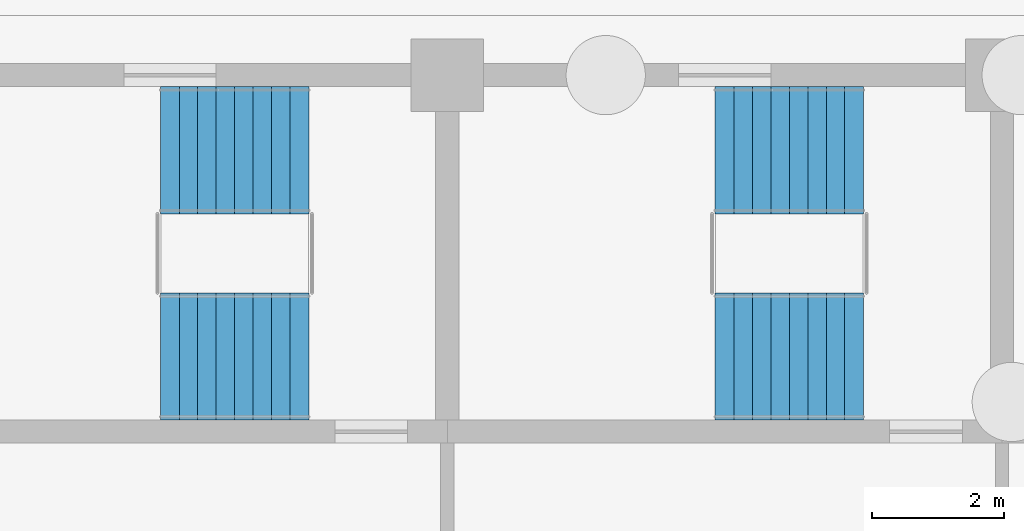
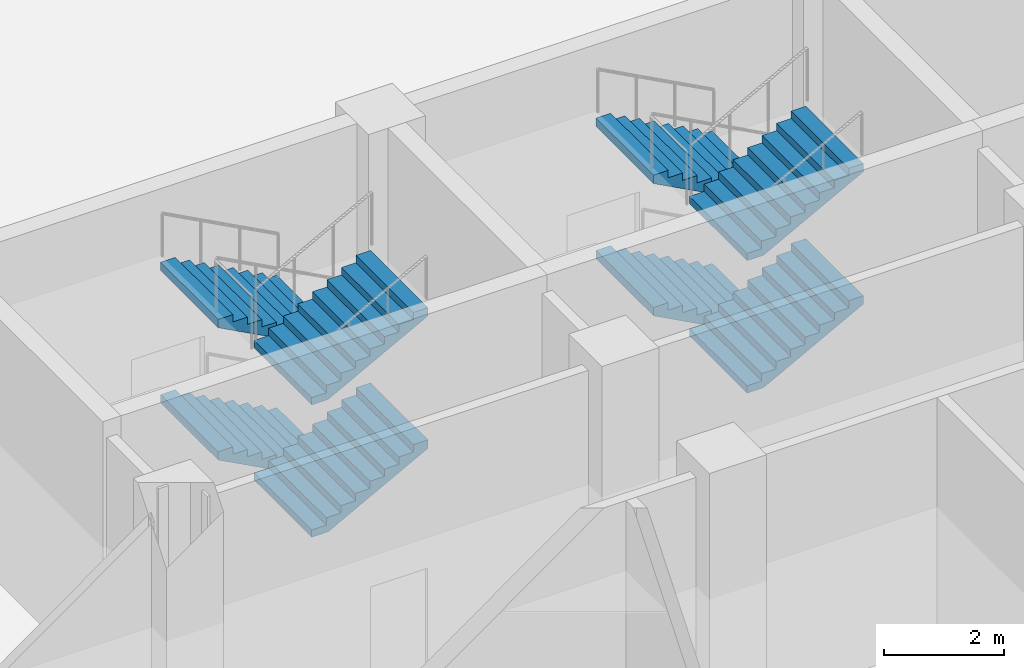
# One storey, part 103 of 146: 8 stair flights, 2 elements without a shape of their own.
"""IFC4 building model written with IfcOpenShell, lengths in metres."""

import ifcopenshell
import ifcopenshell.guid

model = None  # the IFC model being written
_history = None  # IfcOwnerHistory: only IFC2X3 demands one
_inside = {}  # id of a spatial element -> (the spatial element, [elements in it])
_under = {}  # id of a project, library or spatial element -> (it, [spatial elements below it])
_declared = {}  # id of a project -> (the project, [libraries it declares])
_typed = {}  # id of a type object -> (the type object, [elements of that type])
_made_of = {}  # id of a material, layer set ... -> (it, [elements and type objects made of it])


def new_model(schema):
    """Start an empty IFC model of exactly this schema.

    Asked for "IFC4X3", IfcOpenShell would pick the latest addendum, in which some entities
    have other attributes; the version numbers below select the first issue.
    IFC2X3 requires an IfcOwnerHistory on every rooted entity: one is made here for all.
    """
    global model, _history
    if schema == "IFC4X3":
        model = ifcopenshell.file(schema_version=(4, 3, 0, 0))
    else:
        model = ifcopenshell.file(schema=schema)
    _inside.clear()
    _under.clear()
    _declared.clear()
    _typed.clear()
    _made_of.clear()
    _history = None
    if model.schema == "IFC2X3":
        org = make("IfcOrganization", Name="unknown")
        user = make(
            "IfcPersonAndOrganization",
            ThePerson=make("IfcPerson", FamilyName="unknown"),
            TheOrganization=org,
        )
        app = make(
            "IfcApplication",
            ApplicationDeveloper=org,
            Version="unknown",
            ApplicationFullName="unknown",
            ApplicationIdentifier="unknown",
        )
        _history = make(
            "IfcOwnerHistory",
            OwningUser=user,
            OwningApplication=app,
            ChangeAction="ADDED",
            CreationDate=0,
        )
    return model


def make(cls, **values):
    """One entity of the class cls with the attributes given. An attribute that is None is left unset."""
    return model.create_entity(
        cls, **{name: value for name, value in values.items() if value is not None}
    )


def rooted(cls, **values):
    """An entity with a GlobalId (a new one), such as an element, a storey or a relation."""
    return make(cls, GlobalId=ifcopenshell.guid.new(), OwnerHistory=_history, **values)


def si_unit(unit_type, name, prefix=None):
    """IfcSIUnit, for example si_unit("LENGTHUNIT", "METRE", prefix="MILLI")."""
    return make("IfcSIUnit", UnitType=unit_type, Prefix=prefix, Name=name)


def assignment(units):
    """IfcUnitAssignment: the units of a project."""
    return None if units is None else make("IfcUnitAssignment", Units=units)


def point(xyz):
    """IfcCartesianPoint."""
    return None if xyz is None else make("IfcCartesianPoint", Coordinates=xyz)


def direction(xyz):
    """IfcDirection."""
    return None if xyz is None else make("IfcDirection", DirectionRatios=xyz)


def frame(location, z_axis=None, x_axis=None):
    """IfcAxis2Placement3D, a coordinate frame: its origin and axes. An axis left out is left unset."""
    return make(
        "IfcAxis2Placement3D",
        Location=point(location),
        Axis=direction(z_axis),
        RefDirection=direction(x_axis),
    )


def origin():
    """The frame at (0, 0, 0) with its axes left unset."""
    return frame((0.0, 0.0, 0.0))


def place(relative_to, where):
    """IfcLocalPlacement: puts the frame where relative to a parent placement (None: the world)."""
    return make(
        "IfcLocalPlacement", PlacementRelTo=relative_to, RelativePlacement=where
    )


def context(
    kind, dimensions, precision=None, world=None, true_north=None, identifier=None
):
    """IfcGeometricRepresentationContext, for example the 3D "Model" context."""
    return make(
        "IfcGeometricRepresentationContext",
        ContextIdentifier=identifier,
        ContextType=kind,
        CoordinateSpaceDimension=dimensions,
        Precision=precision,
        WorldCoordinateSystem=world,
        TrueNorth=true_north,
    )


def subcontext(parent, identifier, kind, view, scale=None):
    """IfcGeometricRepresentationSubContext, for example "Body" below "Model"."""
    return make(
        "IfcGeometricRepresentationSubContext",
        ContextIdentifier=identifier,
        ContextType=kind,
        ParentContext=parent,
        TargetScale=scale,
        TargetView=view,
    )


def project(units=None, contexts=None):
    """IfcProject with its units and contexts."""
    return rooted(
        "IfcProject",
        Name="project",
        RepresentationContexts=contexts,
        UnitsInContext=assignment(units),
    )


def spatial(cls, under=None, at=None, **own):
    """A site, building, storey or space (cls), placed at a placement, below another one or the project."""
    s = rooted(cls, ObjectPlacement=at, **own)
    if under is not None:
        _under.setdefault(under.id(), (under, []))[1].append(s)
    return s


def polyline(points):
    """IfcPolyline through the points."""
    return make("IfcPolyline", Points=[point(p) for p in points])


def outline(outer, holes=None, kind="AREA"):
    """IfcArbitraryClosedProfileDef: a profile drawn as a closed curve; with holes, ...WithVoids."""
    if holes is None:
        return make("IfcArbitraryClosedProfileDef", ProfileType=kind, OuterCurve=outer)
    return make(
        "IfcArbitraryProfileDefWithVoids",
        ProfileType=kind,
        OuterCurve=outer,
        InnerCurves=holes,
    )


def extrude(swept, where, along, depth):
    """IfcExtrudedAreaSolid: the profile swept, set in the frame where, extruded along a direction by depth."""
    return make(
        "IfcExtrudedAreaSolid",
        SweptArea=swept,
        Position=where,
        ExtrudedDirection=direction(along),
        Depth=depth,
    )


def shape(context_of_items, identifier, shape_type, items):
    """IfcShapeRepresentation: the items that make up one representation, for example the "Body"."""
    return make(
        "IfcShapeRepresentation",
        ContextOfItems=context_of_items,
        RepresentationIdentifier=identifier,
        RepresentationType=shape_type,
        Items=items,
    )


def material(Name=None, Category=None):
    """IfcMaterial."""
    return make("IfcMaterial", Name=Name, Category=Category)


def made_of(thing, what):
    """Note that an element or type object is made of a material, layer set ...; save() writes the relation."""
    if what is not None:
        _made_of.setdefault(what.id(), (what, []))[1].append(thing)
    return thing


def type_object(cls, material=None, **own):
    """A type object (cls), such as IfcWallType, which elements share."""
    return made_of(rooted(cls, **own), material)


def element(
    cls,
    number,
    at=None,
    inside=None,
    cuts=None,
    type_object=None,
    material=None,
    context=None,
    identifier="Body",
    shape_type=None,
    held_by="IfcProductDefinitionShape",
    body=None,
    shapes=None,
    **own,
):
    """One element of the class cls, such as IfcWall. Its Tag is "e" and its number.

    at: its placement. inside: the storey or other place that contains it. cuts: it is an
    opening in that element (IfcRelVoidsElement). A single representation is given by context,
    identifier, shape_type and body (its items); several are given by shapes. held_by: the class
    of the entity that holds the representations. save() writes the other relations.
    """
    e = rooted(cls, Tag="e%d" % number, ObjectPlacement=at, **own)
    if body is not None:
        shapes = [shape(context, identifier, shape_type, body)]
    if shapes is not None:
        e.Representation = make(held_by, Representations=shapes)
    if inside is not None:
        _inside.setdefault(inside.id(), (inside, []))[1].append(e)
    if cuts is not None:
        rooted(
            "IfcRelVoidsElement", RelatingBuildingElement=cuts, RelatedOpeningElement=e
        )
    if type_object is not None:
        _typed.setdefault(type_object.id(), (type_object, []))[1].append(e)
    return made_of(e, material)


def aggregate(whole, parts):
    """IfcRelAggregates: a whole, such as a stair, and the parts it consists of."""
    return rooted("IfcRelAggregates", RelatingObject=whole, RelatedObjects=parts)


def save(model, path):
    """Write the relations noted so far, then the file.

    IfcRelAggregates (storeys below a building ...), IfcRelContainedInSpatialStructure (elements
    in a storey), IfcRelDefinesByType, IfcRelAssociatesMaterial and IfcRelDeclares: one each for
    every whole, place, type object, material and project.
    """
    for whole, parts in _under.values():
        aggregate(whole, parts)
    for where, things in _inside.values():
        rooted(
            "IfcRelContainedInSpatialStructure",
            RelatedElements=things,
            RelatingStructure=where,
        )
    for kind, things in _typed.values():
        rooted("IfcRelDefinesByType", RelatedObjects=things, RelatingType=kind)
    for what, things in _made_of.values():
        rooted("IfcRelAssociatesMaterial", RelatedObjects=things, RelatingMaterial=what)
    for by, libraries in _declared.values():
        rooted("IfcRelDeclares", RelatingContext=by, RelatedDefinitions=libraries)
    model.write(path)


model = new_model("IFC4")

# Units and contexts
model_context = context("Model", 3, precision=1e-05, world=origin(), true_north=direction((0.0, 1.0)))
body_context = subcontext(model_context, "Body", "Model", "MODEL_VIEW")
ifc_project = project(units=[si_unit("LENGTHUNIT", "METRE"), si_unit("AREAUNIT", "SQUARE_METRE"), si_unit("VOLUMEUNIT", "CUBIC_METRE"), si_unit("PLANEANGLEUNIT", "RADIAN"), si_unit("MASSUNIT", "GRAM", prefix="KILO")], contexts=[model_context])

# Site, building, storey
site_placement = place(None, origin())
site = spatial("IfcSite", under=ifc_project, at=site_placement, CompositionType="ELEMENT")
building_placement = place(site_placement, origin())
building = spatial("IfcBuilding", under=site, at=building_placement, Name="Bougainvillea Quay General Hospital", CompositionType="ELEMENT")
storey_placement = place(building_placement, origin())
storey = spatial("IfcBuildingStorey", under=building, at=storey_placement, Name="L00", CompositionType="ELEMENT", Elevation=0.0)

# Stair, stair flights
ifc_material = material(Name="Concrete C35", Category="concrete")
stair_type = type_object("IfcStairType", Name="Stair half-turn 1925 wide", PredefinedType="HALF_TURN_STAIR", material=ifc_material)
stair_1_placement = place(storey_placement, origin())
stair_1 = element("IfcStair", 1, at=stair_1_placement, inside=storey, type_object=stair_type, Name="L00 stair ST-D3", PredefinedType="HALF_TURN_STAIR")
stair_flight_type = type_object("IfcStairFlightType", Name="Stair flight 1925", PredefinedType="STRAIGHT", material=ifc_material)
stair_flight_1_placement = place(storey_placement, frame((149.10009765625, 158.46240234375, 0.0), z_axis=(0.0, 0.0, 1.0), x_axis=(-1.0, 0.0, 0.0)))
stair_flight_1 = element("IfcStairFlight", 2, at=stair_flight_1_placement, type_object=stair_flight_type, Name="ST-D3 flight 1", NumberOfRisers=9, NumberOfTreads=8, PredefinedType="STRAIGHT", RiserHeight=0.15, TreadLength=0.28, context=body_context, shape_type="SweptSolid", body=[
    extrude(outline(polyline([(-0.0029296875, 0.0), (-0.0029296875, 0.003662109375), (-0.0029296875, 0.00732421875), (-0.0029296875, 0.010986328125), (-0.0029296875, 0.0146484375), (-0.0029296875, 0.018310546875), (-0.0029296875, 0.02197265625), (-0.0029296875, 0.025634765625), (-0.0029296875, 0.029296875), (-0.0029296875, 0.032958984375), (-0.0029296875, 0.03662109375), (-0.0029296875, 0.040283203125), (-0.0029296875, 0.0439453125), (-0.0029296875, 0.047607421875), (-0.0029296875, 0.05126953125), (-0.0029296875, 0.054931640625), (-0.0029296875, 0.05859375), (-0.0029296875, 0.062255859375), (-0.0029296875, 0.06591796875), (-0.0029296875, 0.069580078125), (-0.0029296875, 0.0732421875), (-0.0029296875, 0.076904296875), (-0.0029296875, 0.08056640625), (-0.0029296875, 0.084228515625), (-0.0029296875, 0.087890625), (-0.0029296875, 0.091552734375), (-0.0029296875, 0.09521484375), (-0.0029296875, 0.098876953125), (-0.0029296875, 0.1025390625), (-0.0029296875, 0.106201171875), (-0.0029296875, 0.10986328125), (-0.0029296875, 0.113525390625), (-0.0029296875, 0.1171875), (-0.0029296875, 0.120849609375), (-0.0029296875, 0.12451171875), (-0.0029296875, 0.1279296875), (-0.0029296875, 0.131591796875), (-0.0029296875, 0.13525390625), (-0.0029296875, 0.138916015625), (-0.0029296875, 0.142578125), (-0.0029296875, 0.146240234375), (-0.0029296875, 0.14990234375), (0.280029296875, 0.14990234375), (0.280029296875, 0.300048828125), (0.56005859375, 0.300048828125), (0.56005859375, 0.449951171875), (0.840087890625, 0.449951171875), (0.840087890625, 0.60009765625), (1.1201171875, 0.60009765625), (1.1201171875, 0.75), (1.39990234375, 0.75), (1.39990234375, 0.89990234375), (1.679931640625, 0.89990234375), (1.679931640625, 1.050048828125), (1.9599609375, 1.050048828125), (1.9599609375, 1.199951171875), (2.242919921875, 1.199951171875), (2.242919921875, 1.19580078125), (2.242919921875, 1.191650390625), (2.242919921875, 1.1875), (2.242919921875, 1.183349609375), (2.242919921875, 1.17919921875), (2.242919921875, 1.175048828125), (2.242919921875, 1.1708984375), (2.242919921875, 1.166748046875), (2.242919921875, 1.16259765625), (2.242919921875, 1.158447265625), (2.242919921875, 1.154296875), (2.242919921875, 1.150146484375), (2.242919921875, 1.14599609375), (2.242919921875, 1.141845703125), (2.242919921875, 1.1376953125), (2.242919921875, 1.133544921875), (2.242919921875, 1.12939453125), (2.242919921875, 1.125244140625), (2.242919921875, 1.12109375), (2.242919921875, 1.116943359375), (2.242919921875, 1.11279296875), (2.242919921875, 1.108642578125), (2.242919921875, 1.1044921875), (2.242919921875, 1.100341796875), (2.242919921875, 1.09619140625), (2.242919921875, 1.092041015625), (2.242919921875, 1.087890625), (2.242919921875, 1.083984375), (2.242919921875, 1.079833984375), (2.242919921875, 1.07568359375), (2.242919921875, 1.071533203125), (2.242919921875, 1.0673828125), (2.242919921875, 1.063232421875), (2.242919921875, 1.05908203125), (2.242919921875, 1.054931640625), (2.242919921875, 1.05078125), (2.242919921875, 1.046630859375), (2.242919921875, 1.04248046875), (2.242919921875, 1.038330078125), (2.242919921875, 1.0341796875), (2.242919921875, 1.030029296875), (0.3173828125, 0.0), (-0.0029296875, 0.0)])), frame((0.0, 0.96240234375, 0.0), z_axis=(0.0, -1.0, 0.0), x_axis=(1.0, 0.0, 0.0)), (0.0, 0.0, 1.0), 1.925048828125),
])
stair_flight_2_placement = place(storey_placement, frame((146.860107421875, 155.33740234375, 1.35009765625), z_axis=(0.0, 0.0, 1.0), x_axis=(1.0, 0.0, 0.0)))
stair_flight_2 = element("IfcStairFlight", 3, at=stair_flight_2_placement, type_object=stair_flight_type, Name="ST-D3 flight 2", NumberOfRisers=9, NumberOfTreads=8, PredefinedType="STRAIGHT", RiserHeight=0.15, TreadLength=0.28, context=body_context, shape_type="SweptSolid", body=[
    extrude(outline(polyline([(-0.0029296875, 0.0), (-0.0029296875, 0.003662109375), (-0.0029296875, 0.00732421875), (-0.0029296875, 0.010986328125), (-0.0029296875, 0.0146484375), (-0.0029296875, 0.018310546875), (-0.0029296875, 0.02197265625), (-0.0029296875, 0.025634765625), (-0.0029296875, 0.029296875), (-0.0029296875, 0.032958984375), (-0.0029296875, 0.03662109375), (-0.0029296875, 0.040283203125), (-0.0029296875, 0.0439453125), (-0.0029296875, 0.047607421875), (-0.0029296875, 0.05126953125), (-0.0029296875, 0.054931640625), (-0.0029296875, 0.05859375), (-0.0029296875, 0.062255859375), (-0.0029296875, 0.06591796875), (-0.0029296875, 0.069580078125), (-0.0029296875, 0.0732421875), (-0.0029296875, 0.076904296875), (-0.0029296875, 0.08056640625), (-0.0029296875, 0.084228515625), (-0.0029296875, 0.087890625), (-0.0029296875, 0.091552734375), (-0.0029296875, 0.09521484375), (-0.0029296875, 0.098876953125), (-0.0029296875, 0.1025390625), (-0.0029296875, 0.106201171875), (-0.0029296875, 0.10986328125), (-0.0029296875, 0.113525390625), (-0.0029296875, 0.1171875), (-0.0029296875, 0.120849609375), (-0.0029296875, 0.12451171875), (-0.0029296875, 0.1279296875), (-0.0029296875, 0.131591796875), (-0.0029296875, 0.13525390625), (-0.0029296875, 0.138916015625), (-0.0029296875, 0.142578125), (-0.0029296875, 0.146240234375), (-0.0029296875, 0.14990234375), (0.280029296875, 0.14990234375), (0.280029296875, 0.300048828125), (0.56005859375, 0.300048828125), (0.56005859375, 0.449951171875), (0.840087890625, 0.449951171875), (0.840087890625, 0.60009765625), (1.1201171875, 0.60009765625), (1.1201171875, 0.75), (1.39990234375, 0.75), (1.39990234375, 0.89990234375), (1.679931640625, 0.89990234375), (1.679931640625, 1.050048828125), (1.9599609375, 1.050048828125), (1.9599609375, 1.199951171875), (2.242919921875, 1.199951171875), (2.242919921875, 1.19580078125), (2.242919921875, 1.191650390625), (2.242919921875, 1.1875), (2.242919921875, 1.183349609375), (2.242919921875, 1.17919921875), (2.242919921875, 1.175048828125), (2.242919921875, 1.1708984375), (2.242919921875, 1.166748046875), (2.242919921875, 1.16259765625), (2.242919921875, 1.158447265625), (2.242919921875, 1.154296875), (2.242919921875, 1.150146484375), (2.242919921875, 1.14599609375), (2.242919921875, 1.141845703125), (2.242919921875, 1.1376953125), (2.242919921875, 1.133544921875), (2.242919921875, 1.12939453125), (2.242919921875, 1.125244140625), (2.242919921875, 1.12109375), (2.242919921875, 1.116943359375), (2.242919921875, 1.11279296875), (2.242919921875, 1.108642578125), (2.242919921875, 1.1044921875), (2.242919921875, 1.100341796875), (2.242919921875, 1.09619140625), (2.242919921875, 1.092041015625), (2.242919921875, 1.087890625), (2.242919921875, 1.083984375), (2.242919921875, 1.079833984375), (2.242919921875, 1.07568359375), (2.242919921875, 1.071533203125), (2.242919921875, 1.0673828125), (2.242919921875, 1.063232421875), (2.242919921875, 1.05908203125), (2.242919921875, 1.054931640625), (2.242919921875, 1.05078125), (2.242919921875, 1.046630859375), (2.242919921875, 1.04248046875), (2.242919921875, 1.038330078125), (2.242919921875, 1.0341796875), (2.242919921875, 1.030029296875), (0.3173828125, 0.0), (-0.0029296875, 0.0)])), frame((0.0, 0.96240234375, 0.0), z_axis=(0.0, -1.0, 0.0), x_axis=(1.0, 0.0, 0.0)), (0.0, 0.0, 1.0), 1.925048828125),
])
stair_flight_3_placement = place(storey_placement, frame((149.10009765625, 158.46240234375, 2.699951171875), z_axis=(0.0, 0.0, 1.0), x_axis=(-1.0, 0.0, 0.0)))
stair_flight_3 = element("IfcStairFlight", 4, at=stair_flight_3_placement, type_object=stair_flight_type, Name="ST-D3 flight 3", NumberOfRisers=9, NumberOfTreads=8, PredefinedType="STRAIGHT", RiserHeight=0.15, TreadLength=0.28, context=body_context, shape_type="SweptSolid", body=[
    extrude(outline(polyline([(-0.0029296875, 0.0), (-0.0029296875, 0.003662109375), (-0.0029296875, 0.00732421875), (-0.0029296875, 0.010986328125), (-0.0029296875, 0.0146484375), (-0.0029296875, 0.018310546875), (-0.0029296875, 0.02197265625), (-0.0029296875, 0.025634765625), (-0.0029296875, 0.029296875), (-0.0029296875, 0.032958984375), (-0.0029296875, 0.03662109375), (-0.0029296875, 0.040283203125), (-0.0029296875, 0.0439453125), (-0.0029296875, 0.047607421875), (-0.0029296875, 0.05126953125), (-0.0029296875, 0.054931640625), (-0.0029296875, 0.05859375), (-0.0029296875, 0.062255859375), (-0.0029296875, 0.06591796875), (-0.0029296875, 0.069580078125), (-0.0029296875, 0.0732421875), (-0.0029296875, 0.076904296875), (-0.0029296875, 0.08056640625), (-0.0029296875, 0.084228515625), (-0.0029296875, 0.087890625), (-0.0029296875, 0.091552734375), (-0.0029296875, 0.09521484375), (-0.0029296875, 0.098876953125), (-0.0029296875, 0.1025390625), (-0.0029296875, 0.106201171875), (-0.0029296875, 0.10986328125), (-0.0029296875, 0.113525390625), (-0.0029296875, 0.1171875), (-0.0029296875, 0.120849609375), (-0.0029296875, 0.12451171875), (-0.0029296875, 0.1279296875), (-0.0029296875, 0.131591796875), (-0.0029296875, 0.13525390625), (-0.0029296875, 0.138916015625), (-0.0029296875, 0.142578125), (-0.0029296875, 0.146240234375), (-0.0029296875, 0.14990234375), (0.280029296875, 0.14990234375), (0.280029296875, 0.300048828125), (0.56005859375, 0.300048828125), (0.56005859375, 0.449951171875), (0.840087890625, 0.449951171875), (0.840087890625, 0.60009765625), (1.1201171875, 0.60009765625), (1.1201171875, 0.75), (1.39990234375, 0.75), (1.39990234375, 0.89990234375), (1.679931640625, 0.89990234375), (1.679931640625, 1.050048828125), (1.9599609375, 1.050048828125), (1.9599609375, 1.199951171875), (2.242919921875, 1.199951171875), (2.242919921875, 1.19580078125), (2.242919921875, 1.191650390625), (2.242919921875, 1.1875), (2.242919921875, 1.183349609375), (2.242919921875, 1.17919921875), (2.242919921875, 1.175048828125), (2.242919921875, 1.1708984375), (2.242919921875, 1.166748046875), (2.242919921875, 1.16259765625), (2.242919921875, 1.158447265625), (2.242919921875, 1.154296875), (2.242919921875, 1.150146484375), (2.242919921875, 1.14599609375), (2.242919921875, 1.141845703125), (2.242919921875, 1.1376953125), (2.242919921875, 1.133544921875), (2.242919921875, 1.12939453125), (2.242919921875, 1.125244140625), (2.242919921875, 1.12109375), (2.242919921875, 1.116943359375), (2.242919921875, 1.11279296875), (2.242919921875, 1.108642578125), (2.242919921875, 1.1044921875), (2.242919921875, 1.100341796875), (2.242919921875, 1.09619140625), (2.242919921875, 1.092041015625), (2.242919921875, 1.087890625), (2.242919921875, 1.083984375), (2.242919921875, 1.079833984375), (2.242919921875, 1.07568359375), (2.242919921875, 1.071533203125), (2.242919921875, 1.0673828125), (2.242919921875, 1.063232421875), (2.242919921875, 1.05908203125), (2.242919921875, 1.054931640625), (2.242919921875, 1.05078125), (2.242919921875, 1.046630859375), (2.242919921875, 1.04248046875), (2.242919921875, 1.038330078125), (2.242919921875, 1.0341796875), (2.242919921875, 1.030029296875), (0.3173828125, 0.0), (-0.0029296875, 0.0)])), frame((0.0, 0.96240234375, 0.0), z_axis=(0.0, -1.0, 0.0), x_axis=(1.0, 0.0, 0.0)), (0.0, 0.0, 1.0), 1.925048828125),
])
stair_flight_4_placement = place(storey_placement, frame((146.860107421875, 155.33740234375, 4.050048828125), z_axis=(0.0, 0.0, 1.0), x_axis=(1.0, 0.0, 0.0)))
stair_flight_4 = element("IfcStairFlight", 5, at=stair_flight_4_placement, type_object=stair_flight_type, Name="ST-D3 flight 4", NumberOfRisers=9, NumberOfTreads=8, PredefinedType="STRAIGHT", RiserHeight=0.15, TreadLength=0.28, context=body_context, shape_type="SweptSolid", body=[
    extrude(outline(polyline([(-0.0029296875, 0.0), (-0.0029296875, 0.003662109375), (-0.0029296875, 0.00732421875), (-0.0029296875, 0.010986328125), (-0.0029296875, 0.0146484375), (-0.0029296875, 0.018310546875), (-0.0029296875, 0.02197265625), (-0.0029296875, 0.025634765625), (-0.0029296875, 0.029296875), (-0.0029296875, 0.032958984375), (-0.0029296875, 0.03662109375), (-0.0029296875, 0.040283203125), (-0.0029296875, 0.0439453125), (-0.0029296875, 0.047607421875), (-0.0029296875, 0.05126953125), (-0.0029296875, 0.054931640625), (-0.0029296875, 0.05859375), (-0.0029296875, 0.062255859375), (-0.0029296875, 0.06591796875), (-0.0029296875, 0.069580078125), (-0.0029296875, 0.0732421875), (-0.0029296875, 0.076904296875), (-0.0029296875, 0.08056640625), (-0.0029296875, 0.084228515625), (-0.0029296875, 0.087890625), (-0.0029296875, 0.091552734375), (-0.0029296875, 0.09521484375), (-0.0029296875, 0.098876953125), (-0.0029296875, 0.1025390625), (-0.0029296875, 0.106201171875), (-0.0029296875, 0.10986328125), (-0.0029296875, 0.113525390625), (-0.0029296875, 0.1171875), (-0.0029296875, 0.120849609375), (-0.0029296875, 0.12451171875), (-0.0029296875, 0.1279296875), (-0.0029296875, 0.131591796875), (-0.0029296875, 0.13525390625), (-0.0029296875, 0.138916015625), (-0.0029296875, 0.142578125), (-0.0029296875, 0.146240234375), (-0.0029296875, 0.14990234375), (0.280029296875, 0.14990234375), (0.280029296875, 0.300048828125), (0.56005859375, 0.300048828125), (0.56005859375, 0.449951171875), (0.840087890625, 0.449951171875), (0.840087890625, 0.60009765625), (1.1201171875, 0.60009765625), (1.1201171875, 0.75), (1.39990234375, 0.75), (1.39990234375, 0.89990234375), (1.679931640625, 0.89990234375), (1.679931640625, 1.050048828125), (1.9599609375, 1.050048828125), (1.9599609375, 1.199951171875), (2.242919921875, 1.199951171875), (2.242919921875, 1.19580078125), (2.242919921875, 1.191650390625), (2.242919921875, 1.1875), (2.242919921875, 1.183349609375), (2.242919921875, 1.17919921875), (2.242919921875, 1.175048828125), (2.242919921875, 1.1708984375), (2.242919921875, 1.166748046875), (2.242919921875, 1.16259765625), (2.242919921875, 1.158447265625), (2.242919921875, 1.154296875), (2.242919921875, 1.150146484375), (2.242919921875, 1.14599609375), (2.242919921875, 1.141845703125), (2.242919921875, 1.1376953125), (2.242919921875, 1.133544921875), (2.242919921875, 1.12939453125), (2.242919921875, 1.125244140625), (2.242919921875, 1.12109375), (2.242919921875, 1.116943359375), (2.242919921875, 1.11279296875), (2.242919921875, 1.108642578125), (2.242919921875, 1.1044921875), (2.242919921875, 1.100341796875), (2.242919921875, 1.09619140625), (2.242919921875, 1.092041015625), (2.242919921875, 1.087890625), (2.242919921875, 1.083984375), (2.242919921875, 1.079833984375), (2.242919921875, 1.07568359375), (2.242919921875, 1.071533203125), (2.242919921875, 1.0673828125), (2.242919921875, 1.063232421875), (2.242919921875, 1.05908203125), (2.242919921875, 1.054931640625), (2.242919921875, 1.05078125), (2.242919921875, 1.046630859375), (2.242919921875, 1.04248046875), (2.242919921875, 1.038330078125), (2.242919921875, 1.0341796875), (2.242919921875, 1.030029296875), (0.3173828125, 0.0), (-0.0029296875, 0.0)])), frame((0.0, 0.96240234375, 0.0), z_axis=(0.0, -1.0, 0.0), x_axis=(1.0, 0.0, 0.0)), (0.0, 0.0, 1.0), 1.925048828125),
])
aggregate(stair_1, [stair_flight_1, stair_flight_2, stair_flight_3, stair_flight_4])

stair_2_placement = place(storey_placement, origin())
stair_2 = element("IfcStair", 6, at=stair_2_placement, inside=storey, type_object=stair_type, Name="L00 stair ST-A3", PredefinedType="HALF_TURN_STAIR")
stair_flight_5_placement = place(storey_placement, frame((140.699951171875, 158.46240234375, 0.0), z_axis=(0.0, 0.0, 1.0), x_axis=(-1.0, 0.0, 0.0)))
stair_flight_5 = element("IfcStairFlight", 7, at=stair_flight_5_placement, type_object=stair_flight_type, Name="ST-A3 flight 1", NumberOfRisers=9, NumberOfTreads=8, PredefinedType="STRAIGHT", RiserHeight=0.15, TreadLength=0.28, context=body_context, shape_type="SweptSolid", body=[
    extrude(outline(polyline([(-0.0029296875, 0.0), (-0.0029296875, 0.003662109375), (-0.0029296875, 0.00732421875), (-0.0029296875, 0.010986328125), (-0.0029296875, 0.0146484375), (-0.0029296875, 0.018310546875), (-0.0029296875, 0.02197265625), (-0.0029296875, 0.025634765625), (-0.0029296875, 0.029296875), (-0.0029296875, 0.032958984375), (-0.0029296875, 0.03662109375), (-0.0029296875, 0.040283203125), (-0.0029296875, 0.0439453125), (-0.0029296875, 0.047607421875), (-0.0029296875, 0.05126953125), (-0.0029296875, 0.054931640625), (-0.0029296875, 0.05859375), (-0.0029296875, 0.062255859375), (-0.0029296875, 0.06591796875), (-0.0029296875, 0.069580078125), (-0.0029296875, 0.0732421875), (-0.0029296875, 0.076904296875), (-0.0029296875, 0.08056640625), (-0.0029296875, 0.084228515625), (-0.0029296875, 0.087890625), (-0.0029296875, 0.091552734375), (-0.0029296875, 0.09521484375), (-0.0029296875, 0.098876953125), (-0.0029296875, 0.1025390625), (-0.0029296875, 0.106201171875), (-0.0029296875, 0.10986328125), (-0.0029296875, 0.113525390625), (-0.0029296875, 0.1171875), (-0.0029296875, 0.120849609375), (-0.0029296875, 0.12451171875), (-0.0029296875, 0.1279296875), (-0.0029296875, 0.131591796875), (-0.0029296875, 0.13525390625), (-0.0029296875, 0.138916015625), (-0.0029296875, 0.142578125), (-0.0029296875, 0.146240234375), (-0.0029296875, 0.14990234375), (0.280029296875, 0.14990234375), (0.280029296875, 0.300048828125), (0.56005859375, 0.300048828125), (0.56005859375, 0.449951171875), (0.840087890625, 0.449951171875), (0.840087890625, 0.60009765625), (1.1201171875, 0.60009765625), (1.1201171875, 0.75), (1.39990234375, 0.75), (1.39990234375, 0.89990234375), (1.679931640625, 0.89990234375), (1.679931640625, 1.050048828125), (1.9599609375, 1.050048828125), (1.9599609375, 1.199951171875), (2.242919921875, 1.199951171875), (2.242919921875, 1.19580078125), (2.242919921875, 1.191650390625), (2.242919921875, 1.1875), (2.242919921875, 1.183349609375), (2.242919921875, 1.17919921875), (2.242919921875, 1.175048828125), (2.242919921875, 1.1708984375), (2.242919921875, 1.166748046875), (2.242919921875, 1.16259765625), (2.242919921875, 1.158447265625), (2.242919921875, 1.154296875), (2.242919921875, 1.150146484375), (2.242919921875, 1.14599609375), (2.242919921875, 1.141845703125), (2.242919921875, 1.1376953125), (2.242919921875, 1.133544921875), (2.242919921875, 1.12939453125), (2.242919921875, 1.125244140625), (2.242919921875, 1.12109375), (2.242919921875, 1.116943359375), (2.242919921875, 1.11279296875), (2.242919921875, 1.108642578125), (2.242919921875, 1.1044921875), (2.242919921875, 1.100341796875), (2.242919921875, 1.09619140625), (2.242919921875, 1.092041015625), (2.242919921875, 1.087890625), (2.242919921875, 1.083984375), (2.242919921875, 1.079833984375), (2.242919921875, 1.07568359375), (2.242919921875, 1.071533203125), (2.242919921875, 1.0673828125), (2.242919921875, 1.063232421875), (2.242919921875, 1.05908203125), (2.242919921875, 1.054931640625), (2.242919921875, 1.05078125), (2.242919921875, 1.046630859375), (2.242919921875, 1.04248046875), (2.242919921875, 1.038330078125), (2.242919921875, 1.0341796875), (2.242919921875, 1.030029296875), (0.3173828125, 0.0), (-0.0029296875, 0.0)])), frame((0.0, 0.96240234375, 0.0), z_axis=(0.0, -1.0, 0.0), x_axis=(1.0, 0.0, 0.0)), (0.0, 0.0, 1.0), 1.925048828125),
])
stair_flight_6_placement = place(storey_placement, frame((138.4599609375, 155.33740234375, 1.35009765625), z_axis=(0.0, 0.0, 1.0), x_axis=(1.0, 0.0, 0.0)))
stair_flight_6 = element("IfcStairFlight", 8, at=stair_flight_6_placement, type_object=stair_flight_type, Name="ST-A3 flight 2", NumberOfRisers=9, NumberOfTreads=8, PredefinedType="STRAIGHT", RiserHeight=0.15, TreadLength=0.28, context=body_context, shape_type="SweptSolid", body=[
    extrude(outline(polyline([(-0.0029296875, 0.0), (-0.0029296875, 0.003662109375), (-0.0029296875, 0.00732421875), (-0.0029296875, 0.010986328125), (-0.0029296875, 0.0146484375), (-0.0029296875, 0.018310546875), (-0.0029296875, 0.02197265625), (-0.0029296875, 0.025634765625), (-0.0029296875, 0.029296875), (-0.0029296875, 0.032958984375), (-0.0029296875, 0.03662109375), (-0.0029296875, 0.040283203125), (-0.0029296875, 0.0439453125), (-0.0029296875, 0.047607421875), (-0.0029296875, 0.05126953125), (-0.0029296875, 0.054931640625), (-0.0029296875, 0.05859375), (-0.0029296875, 0.062255859375), (-0.0029296875, 0.06591796875), (-0.0029296875, 0.069580078125), (-0.0029296875, 0.0732421875), (-0.0029296875, 0.076904296875), (-0.0029296875, 0.08056640625), (-0.0029296875, 0.084228515625), (-0.0029296875, 0.087890625), (-0.0029296875, 0.091552734375), (-0.0029296875, 0.09521484375), (-0.0029296875, 0.098876953125), (-0.0029296875, 0.1025390625), (-0.0029296875, 0.106201171875), (-0.0029296875, 0.10986328125), (-0.0029296875, 0.113525390625), (-0.0029296875, 0.1171875), (-0.0029296875, 0.120849609375), (-0.0029296875, 0.12451171875), (-0.0029296875, 0.1279296875), (-0.0029296875, 0.131591796875), (-0.0029296875, 0.13525390625), (-0.0029296875, 0.138916015625), (-0.0029296875, 0.142578125), (-0.0029296875, 0.146240234375), (-0.0029296875, 0.14990234375), (0.280029296875, 0.14990234375), (0.280029296875, 0.300048828125), (0.56005859375, 0.300048828125), (0.56005859375, 0.449951171875), (0.840087890625, 0.449951171875), (0.840087890625, 0.60009765625), (1.1201171875, 0.60009765625), (1.1201171875, 0.75), (1.39990234375, 0.75), (1.39990234375, 0.89990234375), (1.679931640625, 0.89990234375), (1.679931640625, 1.050048828125), (1.9599609375, 1.050048828125), (1.9599609375, 1.199951171875), (2.242919921875, 1.199951171875), (2.242919921875, 1.19580078125), (2.242919921875, 1.191650390625), (2.242919921875, 1.1875), (2.242919921875, 1.183349609375), (2.242919921875, 1.17919921875), (2.242919921875, 1.175048828125), (2.242919921875, 1.1708984375), (2.242919921875, 1.166748046875), (2.242919921875, 1.16259765625), (2.242919921875, 1.158447265625), (2.242919921875, 1.154296875), (2.242919921875, 1.150146484375), (2.242919921875, 1.14599609375), (2.242919921875, 1.141845703125), (2.242919921875, 1.1376953125), (2.242919921875, 1.133544921875), (2.242919921875, 1.12939453125), (2.242919921875, 1.125244140625), (2.242919921875, 1.12109375), (2.242919921875, 1.116943359375), (2.242919921875, 1.11279296875), (2.242919921875, 1.108642578125), (2.242919921875, 1.1044921875), (2.242919921875, 1.100341796875), (2.242919921875, 1.09619140625), (2.242919921875, 1.092041015625), (2.242919921875, 1.087890625), (2.242919921875, 1.083984375), (2.242919921875, 1.079833984375), (2.242919921875, 1.07568359375), (2.242919921875, 1.071533203125), (2.242919921875, 1.0673828125), (2.242919921875, 1.063232421875), (2.242919921875, 1.05908203125), (2.242919921875, 1.054931640625), (2.242919921875, 1.05078125), (2.242919921875, 1.046630859375), (2.242919921875, 1.04248046875), (2.242919921875, 1.038330078125), (2.242919921875, 1.0341796875), (2.242919921875, 1.030029296875), (0.3173828125, 0.0), (-0.0029296875, 0.0)])), frame((0.0, 0.96240234375, 0.0), z_axis=(0.0, -1.0, 0.0), x_axis=(1.0, 0.0, 0.0)), (0.0, 0.0, 1.0), 1.925048828125),
])
stair_flight_7_placement = place(storey_placement, frame((140.699951171875, 158.46240234375, 2.699951171875), z_axis=(0.0, 0.0, 1.0), x_axis=(-1.0, 0.0, 0.0)))
stair_flight_7 = element("IfcStairFlight", 9, at=stair_flight_7_placement, type_object=stair_flight_type, Name="ST-A3 flight 3", NumberOfRisers=9, NumberOfTreads=8, PredefinedType="STRAIGHT", RiserHeight=0.15, TreadLength=0.28, context=body_context, shape_type="SweptSolid", body=[
    extrude(outline(polyline([(-0.0029296875, 0.0), (-0.0029296875, 0.003662109375), (-0.0029296875, 0.00732421875), (-0.0029296875, 0.010986328125), (-0.0029296875, 0.0146484375), (-0.0029296875, 0.018310546875), (-0.0029296875, 0.02197265625), (-0.0029296875, 0.025634765625), (-0.0029296875, 0.029296875), (-0.0029296875, 0.032958984375), (-0.0029296875, 0.03662109375), (-0.0029296875, 0.040283203125), (-0.0029296875, 0.0439453125), (-0.0029296875, 0.047607421875), (-0.0029296875, 0.05126953125), (-0.0029296875, 0.054931640625), (-0.0029296875, 0.05859375), (-0.0029296875, 0.062255859375), (-0.0029296875, 0.06591796875), (-0.0029296875, 0.069580078125), (-0.0029296875, 0.0732421875), (-0.0029296875, 0.076904296875), (-0.0029296875, 0.08056640625), (-0.0029296875, 0.084228515625), (-0.0029296875, 0.087890625), (-0.0029296875, 0.091552734375), (-0.0029296875, 0.09521484375), (-0.0029296875, 0.098876953125), (-0.0029296875, 0.1025390625), (-0.0029296875, 0.106201171875), (-0.0029296875, 0.10986328125), (-0.0029296875, 0.113525390625), (-0.0029296875, 0.1171875), (-0.0029296875, 0.120849609375), (-0.0029296875, 0.12451171875), (-0.0029296875, 0.1279296875), (-0.0029296875, 0.131591796875), (-0.0029296875, 0.13525390625), (-0.0029296875, 0.138916015625), (-0.0029296875, 0.142578125), (-0.0029296875, 0.146240234375), (-0.0029296875, 0.14990234375), (0.280029296875, 0.14990234375), (0.280029296875, 0.300048828125), (0.56005859375, 0.300048828125), (0.56005859375, 0.449951171875), (0.840087890625, 0.449951171875), (0.840087890625, 0.60009765625), (1.1201171875, 0.60009765625), (1.1201171875, 0.75), (1.39990234375, 0.75), (1.39990234375, 0.89990234375), (1.679931640625, 0.89990234375), (1.679931640625, 1.050048828125), (1.9599609375, 1.050048828125), (1.9599609375, 1.199951171875), (2.242919921875, 1.199951171875), (2.242919921875, 1.19580078125), (2.242919921875, 1.191650390625), (2.242919921875, 1.1875), (2.242919921875, 1.183349609375), (2.242919921875, 1.17919921875), (2.242919921875, 1.175048828125), (2.242919921875, 1.1708984375), (2.242919921875, 1.166748046875), (2.242919921875, 1.16259765625), (2.242919921875, 1.158447265625), (2.242919921875, 1.154296875), (2.242919921875, 1.150146484375), (2.242919921875, 1.14599609375), (2.242919921875, 1.141845703125), (2.242919921875, 1.1376953125), (2.242919921875, 1.133544921875), (2.242919921875, 1.12939453125), (2.242919921875, 1.125244140625), (2.242919921875, 1.12109375), (2.242919921875, 1.116943359375), (2.242919921875, 1.11279296875), (2.242919921875, 1.108642578125), (2.242919921875, 1.1044921875), (2.242919921875, 1.100341796875), (2.242919921875, 1.09619140625), (2.242919921875, 1.092041015625), (2.242919921875, 1.087890625), (2.242919921875, 1.083984375), (2.242919921875, 1.079833984375), (2.242919921875, 1.07568359375), (2.242919921875, 1.071533203125), (2.242919921875, 1.0673828125), (2.242919921875, 1.063232421875), (2.242919921875, 1.05908203125), (2.242919921875, 1.054931640625), (2.242919921875, 1.05078125), (2.242919921875, 1.046630859375), (2.242919921875, 1.04248046875), (2.242919921875, 1.038330078125), (2.242919921875, 1.0341796875), (2.242919921875, 1.030029296875), (0.3173828125, 0.0), (-0.0029296875, 0.0)])), frame((0.0, 0.96240234375, 0.0), z_axis=(0.0, -1.0, 0.0), x_axis=(1.0, 0.0, 0.0)), (0.0, 0.0, 1.0), 1.925048828125),
])
stair_flight_8_placement = place(storey_placement, frame((138.4599609375, 155.33740234375, 4.050048828125), z_axis=(0.0, 0.0, 1.0), x_axis=(1.0, 0.0, 0.0)))
stair_flight_8 = element("IfcStairFlight", 10, at=stair_flight_8_placement, type_object=stair_flight_type, Name="ST-A3 flight 4", NumberOfRisers=9, NumberOfTreads=8, PredefinedType="STRAIGHT", RiserHeight=0.15, TreadLength=0.28, context=body_context, shape_type="SweptSolid", body=[
    extrude(outline(polyline([(-0.0029296875, 0.0), (-0.0029296875, 0.003662109375), (-0.0029296875, 0.00732421875), (-0.0029296875, 0.010986328125), (-0.0029296875, 0.0146484375), (-0.0029296875, 0.018310546875), (-0.0029296875, 0.02197265625), (-0.0029296875, 0.025634765625), (-0.0029296875, 0.029296875), (-0.0029296875, 0.032958984375), (-0.0029296875, 0.03662109375), (-0.0029296875, 0.040283203125), (-0.0029296875, 0.0439453125), (-0.0029296875, 0.047607421875), (-0.0029296875, 0.05126953125), (-0.0029296875, 0.054931640625), (-0.0029296875, 0.05859375), (-0.0029296875, 0.062255859375), (-0.0029296875, 0.06591796875), (-0.0029296875, 0.069580078125), (-0.0029296875, 0.0732421875), (-0.0029296875, 0.076904296875), (-0.0029296875, 0.08056640625), (-0.0029296875, 0.084228515625), (-0.0029296875, 0.087890625), (-0.0029296875, 0.091552734375), (-0.0029296875, 0.09521484375), (-0.0029296875, 0.098876953125), (-0.0029296875, 0.1025390625), (-0.0029296875, 0.106201171875), (-0.0029296875, 0.10986328125), (-0.0029296875, 0.113525390625), (-0.0029296875, 0.1171875), (-0.0029296875, 0.120849609375), (-0.0029296875, 0.12451171875), (-0.0029296875, 0.1279296875), (-0.0029296875, 0.131591796875), (-0.0029296875, 0.13525390625), (-0.0029296875, 0.138916015625), (-0.0029296875, 0.142578125), (-0.0029296875, 0.146240234375), (-0.0029296875, 0.14990234375), (0.280029296875, 0.14990234375), (0.280029296875, 0.300048828125), (0.56005859375, 0.300048828125), (0.56005859375, 0.449951171875), (0.840087890625, 0.449951171875), (0.840087890625, 0.60009765625), (1.1201171875, 0.60009765625), (1.1201171875, 0.75), (1.39990234375, 0.75), (1.39990234375, 0.89990234375), (1.679931640625, 0.89990234375), (1.679931640625, 1.050048828125), (1.9599609375, 1.050048828125), (1.9599609375, 1.199951171875), (2.242919921875, 1.199951171875), (2.242919921875, 1.19580078125), (2.242919921875, 1.191650390625), (2.242919921875, 1.1875), (2.242919921875, 1.183349609375), (2.242919921875, 1.17919921875), (2.242919921875, 1.175048828125), (2.242919921875, 1.1708984375), (2.242919921875, 1.166748046875), (2.242919921875, 1.16259765625), (2.242919921875, 1.158447265625), (2.242919921875, 1.154296875), (2.242919921875, 1.150146484375), (2.242919921875, 1.14599609375), (2.242919921875, 1.141845703125), (2.242919921875, 1.1376953125), (2.242919921875, 1.133544921875), (2.242919921875, 1.12939453125), (2.242919921875, 1.125244140625), (2.242919921875, 1.12109375), (2.242919921875, 1.116943359375), (2.242919921875, 1.11279296875), (2.242919921875, 1.108642578125), (2.242919921875, 1.1044921875), (2.242919921875, 1.100341796875), (2.242919921875, 1.09619140625), (2.242919921875, 1.092041015625), (2.242919921875, 1.087890625), (2.242919921875, 1.083984375), (2.242919921875, 1.079833984375), (2.242919921875, 1.07568359375), (2.242919921875, 1.071533203125), (2.242919921875, 1.0673828125), (2.242919921875, 1.063232421875), (2.242919921875, 1.05908203125), (2.242919921875, 1.054931640625), (2.242919921875, 1.05078125), (2.242919921875, 1.046630859375), (2.242919921875, 1.04248046875), (2.242919921875, 1.038330078125), (2.242919921875, 1.0341796875), (2.242919921875, 1.030029296875), (0.3173828125, 0.0), (-0.0029296875, 0.0)])), frame((0.0, 0.96240234375, 0.0), z_axis=(0.0, -1.0, 0.0), x_axis=(1.0, 0.0, 0.0)), (0.0, 0.0, 1.0), 1.925048828125),
])
aggregate(stair_2, [stair_flight_5, stair_flight_6, stair_flight_7, stair_flight_8])

save(model, "model.ifc")
